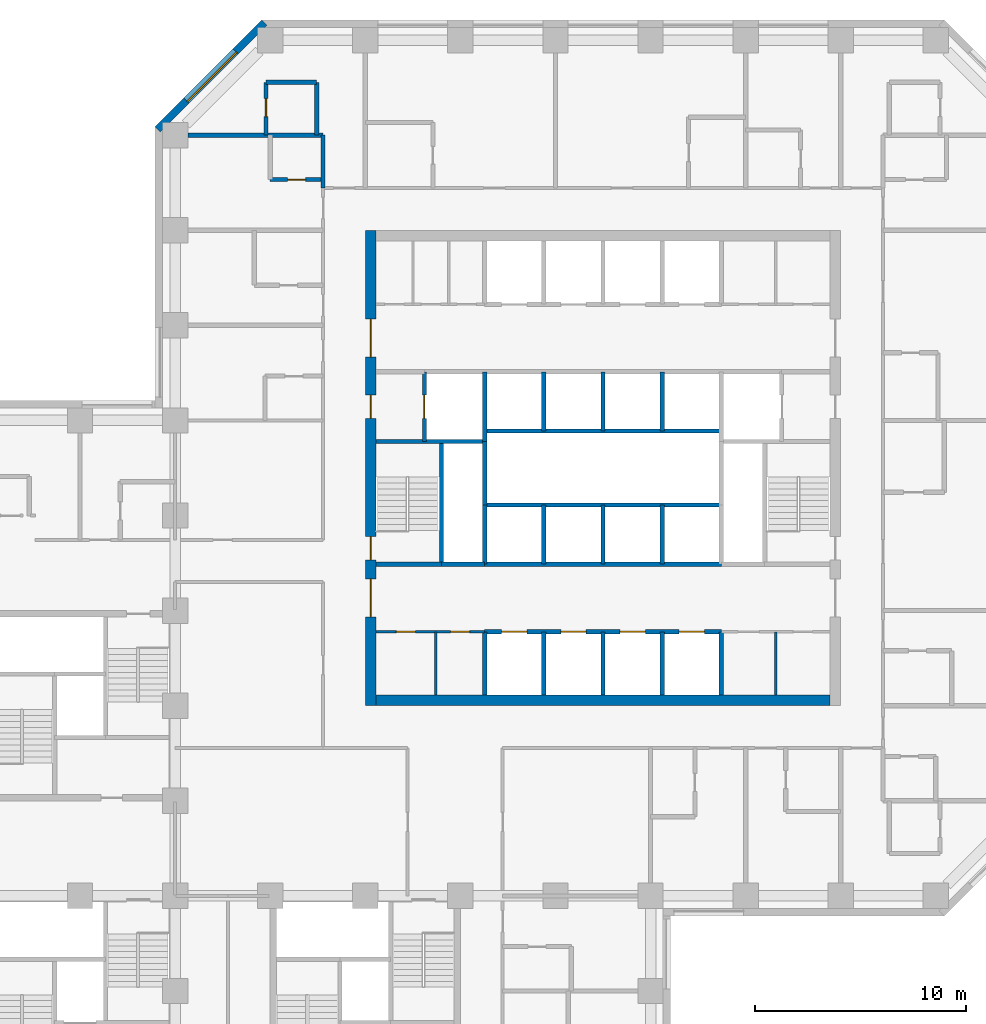
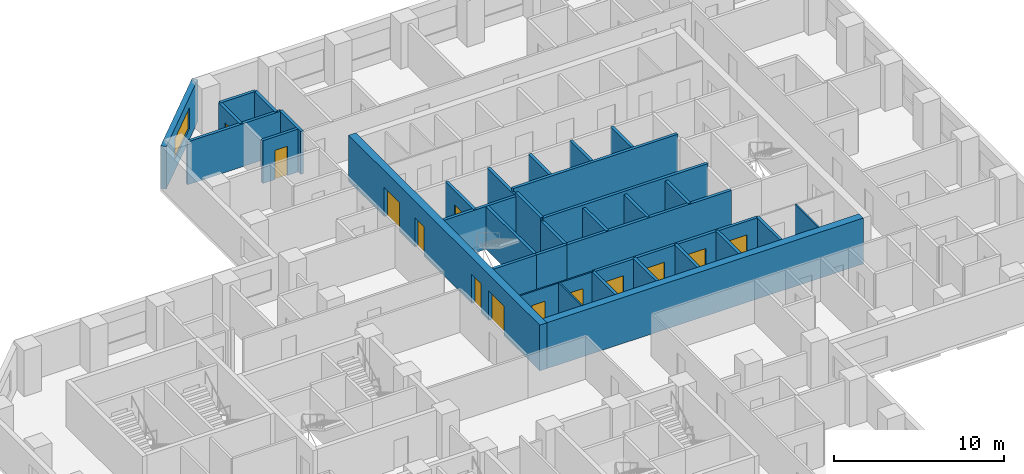
# One storey, part 7 of 12: 35 walls, 13 doors, 1 window, 14 openings.
"""IFC4 building model written with IfcOpenShell, lengths in metres."""

import ifcopenshell
import ifcopenshell.guid

model = None  # the IFC model being written
_history = None  # IfcOwnerHistory: only IFC2X3 demands one
_inside = {}  # id of a spatial element -> (the spatial element, [elements in it])
_under = {}  # id of a project, library or spatial element -> (it, [spatial elements below it])
_declared = {}  # id of a project -> (the project, [libraries it declares])
_typed = {}  # id of a type object -> (the type object, [elements of that type])
_made_of = {}  # id of a material, layer set ... -> (it, [elements and type objects made of it])


def new_model(schema):
    """Start an empty IFC model of exactly this schema.

    Asked for "IFC4X3", IfcOpenShell would pick the latest addendum, in which some entities
    have other attributes; the version numbers below select the first issue.
    IFC2X3 requires an IfcOwnerHistory on every rooted entity: one is made here for all.
    """
    global model, _history
    if schema == "IFC4X3":
        model = ifcopenshell.file(schema_version=(4, 3, 0, 0))
    else:
        model = ifcopenshell.file(schema=schema)
    _inside.clear()
    _under.clear()
    _declared.clear()
    _typed.clear()
    _made_of.clear()
    _history = None
    if model.schema == "IFC2X3":
        org = make("IfcOrganization", Name="unknown")
        user = make(
            "IfcPersonAndOrganization",
            ThePerson=make("IfcPerson", FamilyName="unknown"),
            TheOrganization=org,
        )
        app = make(
            "IfcApplication",
            ApplicationDeveloper=org,
            Version="unknown",
            ApplicationFullName="unknown",
            ApplicationIdentifier="unknown",
        )
        _history = make(
            "IfcOwnerHistory",
            OwningUser=user,
            OwningApplication=app,
            ChangeAction="ADDED",
            CreationDate=0,
        )
    return model


def make(cls, **values):
    """One entity of the class cls with the attributes given. An attribute that is None is left unset."""
    return model.create_entity(
        cls, **{name: value for name, value in values.items() if value is not None}
    )


def rooted(cls, **values):
    """An entity with a GlobalId (a new one), such as an element, a storey or a relation."""
    return make(cls, GlobalId=ifcopenshell.guid.new(), OwnerHistory=_history, **values)


def si_unit(unit_type, name, prefix=None):
    """IfcSIUnit, for example si_unit("LENGTHUNIT", "METRE", prefix="MILLI")."""
    return make("IfcSIUnit", UnitType=unit_type, Prefix=prefix, Name=name)


def assignment(units):
    """IfcUnitAssignment: the units of a project."""
    return None if units is None else make("IfcUnitAssignment", Units=units)


def point(xyz):
    """IfcCartesianPoint."""
    return None if xyz is None else make("IfcCartesianPoint", Coordinates=xyz)


def direction(xyz):
    """IfcDirection."""
    return None if xyz is None else make("IfcDirection", DirectionRatios=xyz)


def frame(location, z_axis=None, x_axis=None):
    """IfcAxis2Placement3D, a coordinate frame: its origin and axes. An axis left out is left unset."""
    return make(
        "IfcAxis2Placement3D",
        Location=point(location),
        Axis=direction(z_axis),
        RefDirection=direction(x_axis),
    )


def frame_2d(location, x_axis=None):
    """IfcAxis2Placement2D, a coordinate frame in the plane: its origin and x axis."""
    return make(
        "IfcAxis2Placement2D", Location=point(location), RefDirection=direction(x_axis)
    )


def origin():
    """The frame at (0, 0, 0) with its axes left unset."""
    return frame((0.0, 0.0, 0.0))


def place(relative_to, where):
    """IfcLocalPlacement: puts the frame where relative to a parent placement (None: the world)."""
    return make(
        "IfcLocalPlacement", PlacementRelTo=relative_to, RelativePlacement=where
    )


def context(
    kind, dimensions, precision=None, world=None, true_north=None, identifier=None
):
    """IfcGeometricRepresentationContext, for example the 3D "Model" context."""
    return make(
        "IfcGeometricRepresentationContext",
        ContextIdentifier=identifier,
        ContextType=kind,
        CoordinateSpaceDimension=dimensions,
        Precision=precision,
        WorldCoordinateSystem=world,
        TrueNorth=true_north,
    )


def subcontext(parent, identifier, kind, view, scale=None):
    """IfcGeometricRepresentationSubContext, for example "Body" below "Model"."""
    return make(
        "IfcGeometricRepresentationSubContext",
        ContextIdentifier=identifier,
        ContextType=kind,
        ParentContext=parent,
        TargetScale=scale,
        TargetView=view,
    )


def project(units=None, contexts=None):
    """IfcProject with its units and contexts."""
    return rooted(
        "IfcProject",
        Name="project",
        RepresentationContexts=contexts,
        UnitsInContext=assignment(units),
    )


def spatial(cls, under=None, at=None, **own):
    """A site, building, storey or space (cls), placed at a placement, below another one or the project."""
    s = rooted(cls, ObjectPlacement=at, **own)
    if under is not None:
        _under.setdefault(under.id(), (under, []))[1].append(s)
    return s


def profile(cls, at=None, kind="AREA", **sizes):
    """A parametric profile (cls). Its sizes go by their IFC names, for example OverallWidth=200.0."""
    return make(cls, ProfileType=kind, Position=at, **sizes)


def rectangle(**sizes):
    """IfcRectangleProfileDef."""
    return profile("IfcRectangleProfileDef", **sizes)


def extrude(swept, where, along, depth):
    """IfcExtrudedAreaSolid: the profile swept, set in the frame where, extruded along a direction by depth."""
    return make(
        "IfcExtrudedAreaSolid",
        SweptArea=swept,
        Position=where,
        ExtrudedDirection=direction(along),
        Depth=depth,
    )


def shape(context_of_items, identifier, shape_type, items):
    """IfcShapeRepresentation: the items that make up one representation, for example the "Body"."""
    return make(
        "IfcShapeRepresentation",
        ContextOfItems=context_of_items,
        RepresentationIdentifier=identifier,
        RepresentationType=shape_type,
        Items=items,
    )


def material(Name=None, Category=None):
    """IfcMaterial."""
    return make("IfcMaterial", Name=Name, Category=Category)


def layer(
    of_material, thickness, ventilated=None, Name=None, Category=None, Priority=None
):
    """IfcMaterialLayer: one layer of a wall or slab, of a material (None: an air gap)."""
    return make(
        "IfcMaterialLayer",
        Material=of_material,
        LayerThickness=thickness,
        IsVentilated=ventilated,
        Name=Name,
        Category=Category,
        Priority=Priority,
    )


def layer_set(layers, Name=None):
    """IfcMaterialLayerSet."""
    return make("IfcMaterialLayerSet", MaterialLayers=layers, LayerSetName=Name)


def constituent(of_material, Name=None, Category=None, fraction=None):
    """IfcMaterialConstituent: one of the materials an element consists of."""
    return make(
        "IfcMaterialConstituent",
        Name=Name,
        Material=of_material,
        Fraction=fraction,
        Category=Category,
    )


def constituent_set(constituents=None, Name=None):
    """IfcMaterialConstituentSet."""
    return make(
        "IfcMaterialConstituentSet", Name=Name, MaterialConstituents=constituents
    )


def made_of(thing, what):
    """Note that an element or type object is made of a material, layer set ...; save() writes the relation."""
    if what is not None:
        _made_of.setdefault(what.id(), (what, []))[1].append(thing)
    return thing


def type_object(cls, material=None, **own):
    """A type object (cls), such as IfcWallType, which elements share."""
    return made_of(rooted(cls, **own), material)


def element(
    cls,
    number,
    at=None,
    inside=None,
    cuts=None,
    type_object=None,
    material=None,
    context=None,
    identifier="Body",
    shape_type=None,
    held_by="IfcProductDefinitionShape",
    body=None,
    shapes=None,
    **own,
):
    """One element of the class cls, such as IfcWall. Its Tag is "e" and its number.

    at: its placement. inside: the storey or other place that contains it. cuts: it is an
    opening in that element (IfcRelVoidsElement). A single representation is given by context,
    identifier, shape_type and body (its items); several are given by shapes. held_by: the class
    of the entity that holds the representations. save() writes the other relations.
    """
    e = rooted(cls, Tag="e%d" % number, ObjectPlacement=at, **own)
    if body is not None:
        shapes = [shape(context, identifier, shape_type, body)]
    if shapes is not None:
        e.Representation = make(held_by, Representations=shapes)
    if inside is not None:
        _inside.setdefault(inside.id(), (inside, []))[1].append(e)
    if cuts is not None:
        rooted(
            "IfcRelVoidsElement", RelatingBuildingElement=cuts, RelatedOpeningElement=e
        )
    if type_object is not None:
        _typed.setdefault(type_object.id(), (type_object, []))[1].append(e)
    return made_of(e, material)


def fill(opening, filler):
    """IfcRelFillsElement: the door or window that sits in an opening."""
    return rooted(
        "IfcRelFillsElement",
        RelatingOpeningElement=opening,
        RelatedBuildingElement=filler,
    )


def aggregate(whole, parts):
    """IfcRelAggregates: a whole, such as a stair, and the parts it consists of."""
    return rooted("IfcRelAggregates", RelatingObject=whole, RelatedObjects=parts)


def save(model, path):
    """Write the relations noted so far, then the file.

    IfcRelAggregates (storeys below a building ...), IfcRelContainedInSpatialStructure (elements
    in a storey), IfcRelDefinesByType, IfcRelAssociatesMaterial and IfcRelDeclares: one each for
    every whole, place, type object, material and project.
    """
    for whole, parts in _under.values():
        aggregate(whole, parts)
    for where, things in _inside.values():
        rooted(
            "IfcRelContainedInSpatialStructure",
            RelatedElements=things,
            RelatingStructure=where,
        )
    for kind, things in _typed.values():
        rooted("IfcRelDefinesByType", RelatedObjects=things, RelatingType=kind)
    for what, things in _made_of.values():
        rooted("IfcRelAssociatesMaterial", RelatedObjects=things, RelatingMaterial=what)
    for by, libraries in _declared.values():
        rooted("IfcRelDeclares", RelatingContext=by, RelatedDefinitions=libraries)
    model.write(path)


model = new_model("IFC4")

# Units and contexts
model_context = context("Model", 3, precision=1e-05, world=origin(), true_north=direction((0.0, 1.0)))
body_context = subcontext(model_context, "Body", "Model", "MODEL_VIEW")
ifc_project = project(units=[si_unit("LENGTHUNIT", "METRE"), si_unit("AREAUNIT", "SQUARE_METRE"), si_unit("VOLUMEUNIT", "CUBIC_METRE"), si_unit("PLANEANGLEUNIT", "RADIAN"), si_unit("MASSUNIT", "GRAM", prefix="KILO")], contexts=[model_context])

# Site, building, storey
site_placement = place(None, origin())
site = spatial("IfcSite", under=ifc_project, at=site_placement, CompositionType="ELEMENT")
building_placement = place(site_placement, origin())
building = spatial("IfcBuilding", under=site, at=building_placement, Name="Quoin Convention Tower", CompositionType="ELEMENT")
storey_placement = place(building_placement, frame((0.0, 0.0, 42.89990234375)))
storey = spatial("IfcBuildingStorey", under=building, at=storey_placement, Name="L10", CompositionType="ELEMENT", Elevation=42.89990234375)

# Wall, opening, window
ifc_material_1 = material(Name="Brick masonry", Category="masonry")
ifc_layer_1 = layer(ifc_material_1, 0.35009765625)
ifc_layer_set_1 = layer_set([ifc_layer_1], Name="Brick masonry")
wall_type_1 = type_object("IfcWallType", Name="Brick facade wall", PredefinedType="STANDARD", material=ifc_layer_set_1)
wall_1_placement = place(storey_placement, frame((40.230224609375, 81.826416015625, 0.0), z_axis=(0.0, 0.0, 1.0), x_axis=(-0.707106781187, -0.707106781187, 0.0)))
wall_1 = element("IfcWall", 1, at=wall_1_placement, inside=storey, type_object=wall_type_1, Name="fw-L10-40500_81000", PredefinedType="STANDARD", context=body_context, shape_type="SweptSolid", body=[
    extrude(rectangle(XDim=7.151123046875, YDim=0.35009765625, at=frame_2d((3.57568359375, 0.0))), origin(), (0.0, 0.0, 1.0), 3.05517578125),
])
opening_1_placement = place(wall_1_placement, frame((1.925537109375, 0.0, 0.800048828125)))
opening_1 = element("IfcOpeningElement", 2, at=opening_1_placement, cuts=wall_1, Name="Opening W-01", PredefinedType="OPENING", context=body_context, shape_type="SweptSolid", body=[
    extrude(rectangle(XDim=3.300048828125, YDim=1.5, at=frame_2d((1.64990234375, 0.75))), frame((0.0, 0.18505859375, 0.0), z_axis=(0.0, -1.0, 0.0), x_axis=(1.0, 0.0, 0.0)), (0.0, 0.0, 1.0), 0.3701171875),
])
ifc_material_2 = material(Name="Aluminium", Category="aluminium")
ifc_constituent_1 = constituent(ifc_material_2, Name="Frame")
ifc_material_3 = material(Name="Insulated glass", Category="glass")
ifc_constituent_2 = constituent(ifc_material_3, Name="Glazing")
ifc_constituent_set = constituent_set(constituents=[ifc_constituent_1, ifc_constituent_2], Name="Aluminium")
window_type = type_object("IfcWindowType", Name="Hotel strip window", PartitioningType="DOUBLE_PANEL_VERTICAL", PredefinedType="WINDOW", material=ifc_constituent_set)
window_placement = place(opening_1_placement, origin())
window = element("IfcWindow", 3, at=window_placement, inside=storey, type_object=window_type, Name="win-L10-37702_79298", OverallHeight=1.5, OverallWidth=3.300048828125, PartitioningType="SINGLE_PANEL", PredefinedType="WINDOW", context=body_context, shape_type="SweptSolid", body=[
    extrude(rectangle(XDim=3.300048828125, YDim=1.5, at=frame_2d((1.64990234375, 0.75))), frame((0.0, 0.0849609375, 0.0), z_axis=(0.0, -1.0, 0.0), x_axis=(1.0, 0.0, 0.0)), (0.0, 0.0, 1.0), 0.06005859375),
])
fill(opening_1, window)

# Wall, openings, doors
ifc_material_4 = material(Name="Plasterboard")
ifc_layer_2 = layer(ifc_material_4, 0.012451171875, Name="Finish")
ifc_material_5 = material(Name="Steel stud framing", Category="steel")
ifc_layer_3 = layer(ifc_material_5, 0.074951171875, Name="Structure")
ifc_layer_4 = layer(ifc_material_4, 0.012451171875, Name="Finish")
ifc_layer_set_2 = layer_set([ifc_layer_2, ifc_layer_3, ifc_layer_4], Name="Steel stud framing")
wall_type_2 = type_object("IfcWallType", Name="Core partition wall", PredefinedType="PARTITIONING", material=ifc_layer_set_2)
wall_2_placement = place(storey_placement, frame((45.5, 53.0, 0.0), z_axis=(0.0, 0.0, 1.0), x_axis=(1.0, 0.0, 0.0)))
wall_2 = element("IfcWall", 4, at=wall_2_placement, inside=storey, type_object=wall_type_2, Name="cr-C1-L10-h3500_500", PredefinedType="PARTITIONING", context=body_context, shape_type="SweptSolid", body=[
    extrude(rectangle(XDim=5.14990234375, YDim=0.10009765625, at=frame_2d((2.574951171875, 0.0))), origin(), (0.0, 0.0, 1.0), 3.080078125),
])
opening_2_placement = place(wall_2_placement, frame((0.96630859375, 0.0, 0.0)))
opening_2 = element("IfcOpeningElement", 5, at=opening_2_placement, cuts=wall_2, Name="Opening DCV4-36", PredefinedType="OPENING", context=body_context, shape_type="SweptSolid", body=[
    extrude(rectangle(XDim=0.89990234375, YDim=2.10009765625, at=frame_2d((0.449951171875, 1.050048828125))), frame((0.0, 0.06005859375, 0.0), z_axis=(0.0, -1.0, 0.0), x_axis=(1.0, 0.0, 0.0)), (0.0, 0.0, 1.0), 0.1201171875),
])
opening_3_placement = place(wall_2_placement, frame((3.541259765625, 0.0, 0.0)))
opening_3 = element("IfcOpeningElement", 6, at=opening_3_placement, cuts=wall_2, Name="Opening DCV4-37", PredefinedType="OPENING", context=body_context, shape_type="SweptSolid", body=[
    extrude(rectangle(XDim=0.89990234375, YDim=2.10009765625, at=frame_2d((0.449951171875, 1.050048828125))), frame((0.0, 0.06005859375, 0.0), z_axis=(0.0, -1.0, 0.0), x_axis=(1.0, 0.0, 0.0)), (0.0, 0.0, 1.0), 0.1201171875),
])
ifc_material_6 = material(Name="Steel door leaf", Category="steel")
door_type_1 = type_object("IfcDoorType", Name="Core room door 900 x 2100", OperationType="SINGLE_SWING_LEFT", PredefinedType="DOOR", material=ifc_material_6)
door_1_placement = place(opening_2_placement, frame((0.89990234375, 0.0, 0.0), z_axis=(0.0, 0.0, 1.0), x_axis=(-1.0, 0.0, 0.0)))
door_1 = element("IfcDoor", 7, at=door_1_placement, inside=storey, type_object=door_type_1, Name="cd-C1-L10-CSW0-lobA-CD1014", OperationType="SINGLE_SWING_LEFT", OverallHeight=2.10009765625, OverallWidth=0.89990234375, PredefinedType="DOOR", context=body_context, shape_type="SweptSolid", body=[
    extrude(rectangle(XDim=0.89990234375, YDim=2.10009765625, at=frame_2d((0.449951171875, 1.050048828125))), frame((0.0, 0.02490234375, 0.0), z_axis=(0.0, -1.0, 0.0), x_axis=(1.0, 0.0, 0.0)), (0.0, 0.0, 1.0), 0.050048828125),
])
fill(opening_2, door_1)
door_2_placement = place(opening_3_placement, frame((0.89990234375, 0.0, 0.0), z_axis=(0.0, 0.0, 1.0), x_axis=(-1.0, 0.0, 0.0)))
door_2 = element("IfcDoor", 8, at=door_2_placement, inside=storey, type_object=door_type_1, Name="cd-C1-L10-CSW1-lobA-CD1015", OperationType="SINGLE_SWING_LEFT", OverallHeight=2.10009765625, OverallWidth=0.89990234375, PredefinedType="DOOR", context=body_context, shape_type="SweptSolid", body=[
    extrude(rectangle(XDim=0.89990234375, YDim=2.10009765625, at=frame_2d((0.449951171875, 1.050048828125))), frame((0.0, 0.02490234375, 0.0), z_axis=(0.0, -1.0, 0.0), x_axis=(1.0, 0.0, 0.0)), (0.0, 0.0, 1.0), 0.050048828125),
])
fill(opening_3, door_2)

# Walls
for number, where, z_axis, x_axis, name in (
    (9, (48.33251953125, 50.0, 0.0), (0.0, 0.0, 1.0), (0.0, 1.0, 0.0), "cr-C1-L10-v3332_500"),
    (10, (64.425048828125, 50.0, 0.0), (0.0, 0.0, 1.0), (0.0, 1.0, 0.0), "cr-C1-L10-v19425_500"),
):
    element("IfcWall", number, at=place(storey_placement, frame(where, z_axis=z_axis, x_axis=x_axis)), inside=storey, type_object=wall_type_2, Name=name, PredefinedType="PARTITIONING", context=body_context, shape_type="SweptSolid", body=[
        extrude(rectangle(XDim=3.0, YDim=0.10009765625, at=frame_2d((1.5, 0.0))), origin(), (0.0, 0.0, 1.0), 3.080078125),
    ])

# Wall, openings, doors
ifc_material_7 = material(Name="Concrete C50", Category="concrete")
ifc_layer_5 = layer(ifc_material_7, 0.199951171875)
ifc_layer_set_3 = layer_set([ifc_layer_5], Name="Concrete C50")
wall_type_3 = type_object("IfcWallType", Name="Core shaft wall", PredefinedType="SOLIDWALL", material=ifc_layer_set_3)
wall_3_placement = place(storey_placement, frame((50.64990234375, 53.0, 0.0), z_axis=(0.0, 0.0, 1.0), x_axis=(1.0, 0.0, 0.0)))
wall_3 = element("IfcWall", 11, at=wall_3_placement, inside=storey, type_object=wall_type_3, Name="cr-C1-L10-h3500_5650", PredefinedType="SOLIDWALL", context=body_context, shape_type="SweptSolid", body=[
    extrude(rectangle(XDim=11.2001953125, YDim=0.199951171875, at=frame_2d((5.60009765625, 0.0))), origin(), (0.0, 0.0, 1.0), 3.080078125),
])
opening_4_placement = place(wall_3_placement, frame((0.800048828125, 0.0, 0.0)))
opening_4 = element("IfcOpeningElement", 12, at=opening_4_placement, cuts=wall_3, Name="Opening LDL1", PredefinedType="OPENING", context=body_context, shape_type="SweptSolid", body=[
    extrude(rectangle(XDim=1.199951171875, YDim=2.10009765625, at=frame_2d((0.60009765625, 1.050048828125))), frame((0.0, 0.10986328125, 0.0), z_axis=(0.0, -1.0, 0.0), x_axis=(1.0, 0.0, 0.0)), (0.0, 0.0, 1.0), 0.219970703125),
])
opening_5_placement = place(wall_3_placement, frame((3.60009765625, 0.0, 0.0)))
opening_5 = element("IfcOpeningElement", 13, at=opening_5_placement, cuts=wall_3, Name="Opening LDL2", PredefinedType="OPENING", context=body_context, shape_type="SweptSolid", body=[
    extrude(rectangle(XDim=1.199951171875, YDim=2.10009765625, at=frame_2d((0.60009765625, 1.050048828125))), frame((0.0, 0.10986328125, 0.0), z_axis=(0.0, -1.0, 0.0), x_axis=(1.0, 0.0, 0.0)), (0.0, 0.0, 1.0), 0.219970703125),
])
opening_6_placement = place(wall_3_placement, frame((6.39990234375, 0.0, 0.0)))
opening_6 = element("IfcOpeningElement", 14, at=opening_6_placement, cuts=wall_3, Name="Opening LDL3", PredefinedType="OPENING", context=body_context, shape_type="SweptSolid", body=[
    extrude(rectangle(XDim=1.199951171875, YDim=2.10009765625, at=frame_2d((0.60009765625, 1.050048828125))), frame((0.0, 0.10986328125, 0.0), z_axis=(0.0, -1.0, 0.0), x_axis=(1.0, 0.0, 0.0)), (0.0, 0.0, 1.0), 0.219970703125),
])
opening_7_placement = place(wall_3_placement, frame((9.199951171875, 0.0, 0.0)))
opening_7 = element("IfcOpeningElement", 15, at=opening_7_placement, cuts=wall_3, Name="Opening LDL4", PredefinedType="OPENING", context=body_context, shape_type="SweptSolid", body=[
    extrude(rectangle(XDim=1.199951171875, YDim=2.10009765625, at=frame_2d((0.60009765625, 1.050048828125))), frame((0.0, 0.10986328125, 0.0), z_axis=(0.0, -1.0, 0.0), x_axis=(1.0, 0.0, 0.0)), (0.0, 0.0, 1.0), 0.219970703125),
])
door_type_2 = type_object("IfcDoorType", Name="Lift landing door 1200 x 2100", OperationType="DOUBLE_DOOR_SLIDING", PredefinedType="DOOR", material=ifc_material_6)
door_3_placement = place(opening_4_placement, origin())
door_3 = element("IfcDoor", 16, at=door_3_placement, inside=storey, type_object=door_type_2, Name="cd-C1-L10-R10-lobA-LDL1", OperationType="DOUBLE_DOOR_SLIDING", OverallHeight=2.10009765625, OverallWidth=1.199951171875, PredefinedType="DOOR", context=body_context, shape_type="SweptSolid", body=[
    extrude(rectangle(XDim=1.199951171875, YDim=2.10009765625, at=frame_2d((0.60009765625, 1.050048828125))), frame((0.0, 0.02490234375, 0.0), z_axis=(0.0, -1.0, 0.0), x_axis=(1.0, 0.0, 0.0)), (0.0, 0.0, 1.0), 0.050048828125),
])
fill(opening_4, door_3)
door_4_placement = place(opening_5_placement, origin())
door_4 = element("IfcDoor", 17, at=door_4_placement, inside=storey, type_object=door_type_2, Name="cd-C1-L10-R11-lobA-LDL2", OperationType="DOUBLE_DOOR_SLIDING", OverallHeight=2.10009765625, OverallWidth=1.199951171875, PredefinedType="DOOR", context=body_context, shape_type="SweptSolid", body=[
    extrude(rectangle(XDim=1.199951171875, YDim=2.10009765625, at=frame_2d((0.60009765625, 1.050048828125))), frame((0.0, 0.02490234375, 0.0), z_axis=(0.0, -1.0, 0.0), x_axis=(1.0, 0.0, 0.0)), (0.0, 0.0, 1.0), 0.050048828125),
])
fill(opening_5, door_4)
door_5_placement = place(opening_6_placement, origin())
door_5 = element("IfcDoor", 18, at=door_5_placement, inside=storey, type_object=door_type_2, Name="cd-C1-L10-R12-lobA-LDL3", OperationType="DOUBLE_DOOR_SLIDING", OverallHeight=2.10009765625, OverallWidth=1.199951171875, PredefinedType="DOOR", context=body_context, shape_type="SweptSolid", body=[
    extrude(rectangle(XDim=1.199951171875, YDim=2.10009765625, at=frame_2d((0.60009765625, 1.050048828125))), frame((0.0, 0.02490234375, 0.0), z_axis=(0.0, -1.0, 0.0), x_axis=(1.0, 0.0, 0.0)), (0.0, 0.0, 1.0), 0.050048828125),
])
fill(opening_6, door_5)
door_6_placement = place(opening_7_placement, origin())
door_6 = element("IfcDoor", 19, at=door_6_placement, inside=storey, type_object=door_type_2, Name="cd-C1-L10-R13-lobA-LDL4", OperationType="DOUBLE_DOOR_SLIDING", OverallHeight=2.10009765625, OverallWidth=1.199951171875, PredefinedType="DOOR", context=body_context, shape_type="SweptSolid", body=[
    extrude(rectangle(XDim=1.199951171875, YDim=2.10009765625, at=frame_2d((0.60009765625, 1.050048828125))), frame((0.0, 0.02490234375, 0.0), z_axis=(0.0, -1.0, 0.0), x_axis=(1.0, 0.0, 0.0)), (0.0, 0.0, 1.0), 0.050048828125),
])
fill(opening_7, door_6)

# Walls
wall_4_placement = place(storey_placement, frame((48.60009765625, 56.199951171875, 0.0), z_axis=(0.0, 0.0, 1.0), x_axis=(1.0, 0.0, 0.0)))
element("IfcWall", 20, at=wall_4_placement, inside=storey, type_object=wall_type_3, Name="cr-C1-L10-h6700_3600", PredefinedType="SOLIDWALL", context=body_context, shape_type="SweptSolid", body=[
    extrude(rectangle(XDim=2.0498046875, YDim=0.199951171875, at=frame_2d((1.02490234375, 0.0))), origin(), (0.0, 0.0, 1.0), 3.080078125),
])
wall_5_placement = place(storey_placement, frame((45.5, 56.199951171875, 0.0), z_axis=(0.0, 0.0, 1.0), x_axis=(1.0, 0.0, 0.0)))
element("IfcWall", 21, at=wall_5_placement, inside=storey, type_object=wall_type_3, Name="cr-C1-L10-h6700_500", PredefinedType="SOLIDWALL", context=body_context, shape_type="SweptSolid", body=[
    extrude(rectangle(XDim=3.10009765625, YDim=0.199951171875, at=frame_2d((1.550048828125, 0.0))), origin(), (0.0, 0.0, 1.0), 3.080078125),
])
wall_6_placement = place(storey_placement, frame((50.64990234375, 56.199951171875, 0.0), z_axis=(0.0, 0.0, 1.0), x_axis=(1.0, 0.0, 0.0)))
element("IfcWall", 22, at=wall_6_placement, inside=storey, type_object=wall_type_3, Name="cr-C1-L10-h6700_5650", PredefinedType="SOLIDWALL", context=body_context, shape_type="SweptSolid", body=[
    extrude(rectangle(XDim=11.2001953125, YDim=0.199951171875, at=frame_2d((5.60009765625, 0.0))), origin(), (0.0, 0.0, 1.0), 3.080078125),
])
wall_7_placement = place(storey_placement, frame((45.5, 62.0, 0.0), z_axis=(0.0, 0.0, 1.0), x_axis=(1.0, 0.0, 0.0)))
element("IfcWall", 23, at=wall_7_placement, inside=storey, type_object=wall_type_3, Name="cr-C1-L10-h12500_500", PredefinedType="SOLIDWALL", context=body_context, shape_type="SweptSolid", body=[
    extrude(rectangle(XDim=5.14990234375, YDim=0.199951171875, at=frame_2d((2.574951171875, 0.0))), origin(), (0.0, 0.0, 1.0), 3.080078125),
])

# Wall, opening, door
wall_8_placement = place(storey_placement, frame((47.800048828125, 62.0, 0.0), z_axis=(0.0, 0.0, 1.0), x_axis=(0.0, 1.0, 0.0)))
wall_8 = element("IfcWall", 24, at=wall_8_placement, inside=storey, type_object=wall_type_3, Name="cr-C1-L10-v2800_12500", PredefinedType="SOLIDWALL", context=body_context, shape_type="SweptSolid", body=[
    extrude(rectangle(XDim=3.300048828125, YDim=0.199951171875, at=frame_2d((1.64990234375, 0.0))), origin(), (0.0, 0.0, 1.0), 3.080078125),
])
opening_8_placement = place(wall_8_placement, frame((1.10009765625, 0.0, 0.0)))
opening_8 = element("IfcOpeningElement", 25, at=opening_8_placement, cuts=wall_8, Name="Opening LDFL1", PredefinedType="OPENING", context=body_context, shape_type="SweptSolid", body=[
    extrude(rectangle(XDim=1.10009765625, YDim=2.10009765625, at=frame_2d((0.550048828125, 1.050048828125))), frame((0.0, 0.10986328125, 0.0), z_axis=(0.0, -1.0, 0.0), x_axis=(1.0, 0.0, 0.0)), (0.0, 0.0, 1.0), 0.219970703125),
])
door_type_3 = type_object("IfcDoorType", Name="Lift landing door 1100 x 2100", OperationType="DOUBLE_DOOR_SLIDING", PredefinedType="DOOR", material=ifc_material_6)
door_7_placement = place(opening_8_placement, origin())
door_7 = element("IfcDoor", 26, at=door_7_placement, inside=storey, type_object=door_type_3, Name="cd-C1-L10-FLW-FFW-LDFL1", OperationType="DOUBLE_DOOR_SLIDING", OverallHeight=2.10009765625, OverallWidth=1.10009765625, PredefinedType="DOOR", context=body_context, shape_type="SweptSolid", body=[
    extrude(rectangle(XDim=1.10009765625, YDim=2.10009765625, at=frame_2d((0.550048828125, 1.050048828125))), frame((0.0, 0.02490234375, 0.0), z_axis=(0.0, -1.0, 0.0), x_axis=(1.0, 0.0, 0.0)), (0.0, 0.0, 1.0), 0.050048828125),
])
fill(opening_8, door_7)

# Walls
wall_9_placement = place(storey_placement, frame((48.60009765625, 56.199951171875, 0.0), z_axis=(0.0, 0.0, 1.0), x_axis=(0.0, 1.0, 0.0)))
element("IfcWall", 27, at=wall_9_placement, inside=storey, type_object=wall_type_3, Name="cr-C1-L10-v3600_6700", PredefinedType="SOLIDWALL", context=body_context, shape_type="SweptSolid", body=[
    extrude(rectangle(XDim=5.800048828125, YDim=0.199951171875, at=frame_2d((2.89990234375, 0.0))), origin(), (0.0, 0.0, 1.0), 3.080078125),
])
wall_10_placement = place(storey_placement, frame((50.64990234375, 50.0, 0.0), z_axis=(0.0, 0.0, 1.0), x_axis=(0.0, 1.0, 0.0)))
element("IfcWall", 28, at=wall_10_placement, inside=storey, type_object=wall_type_3, Name="cr-C1-L10-v5650_500", PredefinedType="SOLIDWALL", context=body_context, shape_type="SweptSolid", body=[
    extrude(rectangle(XDim=3.0, YDim=0.199951171875, at=frame_2d((1.5, 0.0))), origin(), (0.0, 0.0, 1.0), 3.080078125),
])
wall_11_placement = place(storey_placement, frame((50.64990234375, 56.199951171875, 0.0), z_axis=(0.0, 0.0, 1.0), x_axis=(0.0, 1.0, 0.0)))
element("IfcWall", 29, at=wall_11_placement, inside=storey, type_object=wall_type_3, Name="cr-C1-L10-v5650_6700", PredefinedType="SOLIDWALL", context=body_context, shape_type="SweptSolid", body=[
    extrude(rectangle(XDim=2.800048828125, YDim=0.199951171875, at=frame_2d((1.39990234375, 0.0))), origin(), (0.0, 0.0, 1.0), 3.080078125),
])
wall_12_placement = place(storey_placement, frame((50.64990234375, 62.0, 0.0), z_axis=(0.0, 0.0, 1.0), x_axis=(0.0, 1.0, 0.0)))
element("IfcWall", 30, at=wall_12_placement, inside=storey, type_object=wall_type_3, Name="cr-C1-L10-v5650_12500", PredefinedType="SOLIDWALL", context=body_context, shape_type="SweptSolid", body=[
    extrude(rectangle(XDim=3.300048828125, YDim=0.199951171875, at=frame_2d((1.64990234375, 0.0))), origin(), (0.0, 0.0, 1.0), 3.080078125),
])
wall_13_placement = place(storey_placement, frame((53.449951171875, 50.0, 0.0), z_axis=(0.0, 0.0, 1.0), x_axis=(0.0, 1.0, 0.0)))
element("IfcWall", 31, at=wall_13_placement, inside=storey, type_object=wall_type_3, Name="cr-C1-L10-v8450_500", PredefinedType="SOLIDWALL", context=body_context, shape_type="SweptSolid", body=[
    extrude(rectangle(XDim=3.0, YDim=0.199951171875, at=frame_2d((1.5, 0.0))), origin(), (0.0, 0.0, 1.0), 3.080078125),
])
for number, where, z_axis, x_axis, name in (
    (32, (53.449951171875, 56.199951171875, 0.0), (0.0, 0.0, 1.0), (0.0, 1.0, 0.0), "cr-C1-L10-v8450_6700"),
    (33, (53.449951171875, 62.5, 0.0), (0.0, 0.0, 1.0), (0.0, 1.0, 0.0), "cr-C1-L10-v8450_13000"),
):
    element("IfcWall", number, at=place(storey_placement, frame(where, z_axis=z_axis, x_axis=x_axis)), inside=storey, type_object=wall_type_3, Name=name, PredefinedType="SOLIDWALL", context=body_context, shape_type="SweptSolid", body=[
        extrude(rectangle(XDim=2.800048828125, YDim=0.199951171875, at=frame_2d((1.39990234375, 0.0))), origin(), (0.0, 0.0, 1.0), 3.080078125),
    ])
wall_14_placement = place(storey_placement, frame((56.25, 50.0, 0.0), z_axis=(0.0, 0.0, 1.0), x_axis=(0.0, 1.0, 0.0)))
element("IfcWall", 34, at=wall_14_placement, inside=storey, type_object=wall_type_3, Name="cr-C1-L10-v11250_500", PredefinedType="SOLIDWALL", context=body_context, shape_type="SweptSolid", body=[
    extrude(rectangle(XDim=3.0, YDim=0.199951171875, at=frame_2d((1.5, 0.0))), origin(), (0.0, 0.0, 1.0), 3.080078125),
])
for number, where, z_axis, x_axis, name in (
    (35, (56.25, 56.199951171875, 0.0), (0.0, 0.0, 1.0), (0.0, 1.0, 0.0), "cr-C1-L10-v11250_6700"),
    (36, (56.25, 62.5, 0.0), (0.0, 0.0, 1.0), (0.0, 1.0, 0.0), "cr-C1-L10-v11250_13000"),
):
    element("IfcWall", number, at=place(storey_placement, frame(where, z_axis=z_axis, x_axis=x_axis)), inside=storey, type_object=wall_type_3, Name=name, PredefinedType="SOLIDWALL", context=body_context, shape_type="SweptSolid", body=[
        extrude(rectangle(XDim=2.800048828125, YDim=0.199951171875, at=frame_2d((1.39990234375, 0.0))), origin(), (0.0, 0.0, 1.0), 3.080078125),
    ])
wall_15_placement = place(storey_placement, frame((59.050048828125, 50.0, 0.0), z_axis=(0.0, 0.0, 1.0), x_axis=(0.0, 1.0, 0.0)))
element("IfcWall", 37, at=wall_15_placement, inside=storey, type_object=wall_type_3, Name="cr-C1-L10-v14050_500", PredefinedType="SOLIDWALL", context=body_context, shape_type="SweptSolid", body=[
    extrude(rectangle(XDim=3.0, YDim=0.199951171875, at=frame_2d((1.5, 0.0))), origin(), (0.0, 0.0, 1.0), 3.080078125),
])
for number, where, z_axis, x_axis, name in (
    (38, (59.050048828125, 56.199951171875, 0.0), (0.0, 0.0, 1.0), (0.0, 1.0, 0.0), "cr-C1-L10-v14050_6700"),
    (39, (59.050048828125, 62.5, 0.0), (0.0, 0.0, 1.0), (0.0, 1.0, 0.0), "cr-C1-L10-v14050_13000"),
):
    element("IfcWall", number, at=place(storey_placement, frame(where, z_axis=z_axis, x_axis=x_axis)), inside=storey, type_object=wall_type_3, Name=name, PredefinedType="SOLIDWALL", context=body_context, shape_type="SweptSolid", body=[
        extrude(rectangle(XDim=2.800048828125, YDim=0.199951171875, at=frame_2d((1.39990234375, 0.0))), origin(), (0.0, 0.0, 1.0), 3.080078125),
    ])
wall_16_placement = place(storey_placement, frame((61.85009765625, 50.0, 0.0), z_axis=(0.0, 0.0, 1.0), x_axis=(0.0, 1.0, 0.0)))
element("IfcWall", 40, at=wall_16_placement, inside=storey, type_object=wall_type_3, Name="cr-C1-L10-v16850_500", PredefinedType="SOLIDWALL", context=body_context, shape_type="SweptSolid", body=[
    extrude(rectangle(XDim=3.0, YDim=0.199951171875, at=frame_2d((1.5, 0.0))), origin(), (0.0, 0.0, 1.0), 3.080078125),
])
ifc_layer_6 = layer(ifc_material_7, 0.199951171875)
ifc_layer_set_4 = layer_set([ifc_layer_6], Name="Concrete C50")
wall_type_4 = type_object("IfcWallType", Name="Core shaft wall to the floor level over", PredefinedType="SOLIDWALL", material=ifc_layer_set_4)
for number, where, z_axis, x_axis, name in (
    (41, (50.64990234375, 59.0, 0.0), (0.0, 0.0, 1.0), (1.0, 0.0, 0.0), "cr-C1-L10-h9500_5650"),
    (42, (50.64990234375, 62.5, 0.0), (0.0, 0.0, 1.0), (1.0, 0.0, 0.0), "cr-C1-L10-h13000_5650"),
):
    element("IfcWall", number, at=place(storey_placement, frame(where, z_axis=z_axis, x_axis=x_axis)), inside=storey, type_object=wall_type_4, Name=name, PredefinedType="SOLIDWALL", context=body_context, shape_type="SweptSolid", body=[
        extrude(rectangle(XDim=11.2001953125, YDim=0.199951171875, at=frame_2d((5.60009765625, 0.0))), origin(), (0.0, 0.0, 1.0), 3.300048828125),
    ])
wall_17_placement = place(storey_placement, frame((50.64990234375, 59.0, 0.0), z_axis=(0.0, 0.0, 1.0), x_axis=(0.0, 1.0, 0.0)))
element("IfcWall", 43, at=wall_17_placement, inside=storey, type_object=wall_type_4, Name="cr-C1-L10-v5650_9500", PredefinedType="SOLIDWALL", context=body_context, shape_type="SweptSolid", body=[
    extrude(rectangle(XDim=3.0, YDim=0.199951171875, at=frame_2d((1.5, 0.0))), origin(), (0.0, 0.0, 1.0), 3.300048828125),
])
ifc_material_8 = material(Name="Concrete C80", Category="concrete")
ifc_layer_7 = layer(ifc_material_8, 0.5)
ifc_layer_set_5 = layer_set([ifc_layer_7], Name="Concrete C80")
wall_type_5 = type_object("IfcWallType", Name="RC CORE WALL 500 C80", PredefinedType="SHEAR", material=ifc_layer_set_5)
wall_18_placement = place(storey_placement, frame((45.5, 49.75, 0.0), z_axis=(0.0, 0.0, 1.0), x_axis=(1.0, 0.0, 0.0)))
element("IfcWall", 44, at=wall_18_placement, inside=storey, type_object=wall_type_5, Name="cwl-C1-L10-S", PredefinedType="SHEAR", context=body_context, shape_type="SweptSolid", body=[
    extrude(rectangle(XDim=21.5, YDim=0.5, at=frame_2d((10.75, 0.0))), origin(), (0.0, 0.0, 1.0), 3.300048828125),
])

# Wall, openings, doors
wall_19_placement = place(storey_placement, frame((45.25, 49.5, 0.0), z_axis=(0.0, 0.0, 1.0), x_axis=(0.0, 1.0, 0.0)))
wall_19 = element("IfcWall", 45, at=wall_19_placement, inside=storey, type_object=wall_type_5, Name="cwl-C1-L10-W", PredefinedType="SHEAR", context=body_context, shape_type="SweptSolid", body=[
    extrude(rectangle(XDim=22.5, YDim=0.5, at=frame_2d((11.25, 0.0))), origin(), (0.0, 0.0, 1.0), 3.300048828125),
])
opening_9_placement = place(wall_19_placement, frame((4.199951171875, 0.0, 0.0)))
opening_9 = element("IfcOpeningElement", 46, at=opening_9_placement, cuts=wall_19, Name="Opening DCV4-41", PredefinedType="OPENING", context=body_context, shape_type="SweptSolid", body=[
    extrude(rectangle(XDim=1.800048828125, YDim=2.10009765625, at=frame_2d((0.89990234375, 1.050048828125))), frame((0.0, 0.260009765625, 0.0), z_axis=(0.0, -1.0, 0.0), x_axis=(1.0, 0.0, 0.0)), (0.0, 0.0, 1.0), 0.52001953125),
])
opening_10_placement = place(wall_19_placement, frame((6.89990234375, 0.0, 0.0)))
opening_10 = element("IfcOpeningElement", 47, at=opening_10_placement, cuts=wall_19, Name="Opening SD1", PredefinedType="OPENING", context=body_context, shape_type="SweptSolid", body=[
    extrude(rectangle(XDim=1.10009765625, YDim=2.10009765625, at=frame_2d((0.550048828125, 1.050048828125))), frame((0.0, 0.260009765625, 0.0), z_axis=(0.0, -1.0, 0.0), x_axis=(1.0, 0.0, 0.0)), (0.0, 0.0, 1.0), 0.52001953125),
])
opening_11_placement = place(wall_19_placement, frame((13.60009765625, 0.0, 0.0)))
opening_11 = element("IfcOpeningElement", 48, at=opening_11_placement, cuts=wall_19, Name="Opening DCV4-40", PredefinedType="OPENING", context=body_context, shape_type="SweptSolid", body=[
    extrude(rectangle(XDim=1.10009765625, YDim=2.10009765625, at=frame_2d((0.550048828125, 1.050048828125))), frame((0.0, 0.260009765625, 0.0), z_axis=(0.0, -1.0, 0.0), x_axis=(1.0, 0.0, 0.0)), (0.0, 0.0, 1.0), 0.52001953125),
])
opening_12_placement = place(wall_19_placement, frame((16.5, 0.0, 0.0)))
opening_12 = element("IfcOpeningElement", 49, at=opening_12_placement, cuts=wall_19, Name="Opening DCV4-41", PredefinedType="OPENING", context=body_context, shape_type="SweptSolid", body=[
    extrude(rectangle(XDim=1.800048828125, YDim=2.10009765625, at=frame_2d((0.89990234375, 1.050048828125))), frame((0.0, 0.260009765625, 0.0), z_axis=(0.0, -1.0, 0.0), x_axis=(1.0, 0.0, 0.0)), (0.0, 0.0, 1.0), 0.52001953125),
])
door_type_4 = type_object("IfcDoorType", Name="Fire-fighting lobby door 1100 x 2100", OperationType="SINGLE_SWING_LEFT", PredefinedType="DOOR", material=ifc_material_6)
door_8_placement = place(opening_11_placement, frame((1.10009765625, 0.0, 0.0), z_axis=(0.0, 0.0, 1.0), x_axis=(-1.0, 0.0, 0.0)))
door_8 = element("IfcDoor", 50, at=door_8_placement, inside=storey, type_object=door_type_4, Name="cd-C1-L10-FFW-W", OperationType="SINGLE_SWING_LEFT", OverallHeight=2.10009765625, OverallWidth=1.10009765625, PredefinedType="DOOR", context=body_context, shape_type="SweptSolid", body=[
    extrude(rectangle(XDim=1.10009765625, YDim=2.10009765625, at=frame_2d((0.550048828125, 1.050048828125))), frame((0.0, 0.02490234375, 0.0), z_axis=(0.0, -1.0, 0.0), x_axis=(1.0, 0.0, 0.0)), (0.0, 0.0, 1.0), 0.050048828125),
])
fill(opening_11, door_8)
door_type_5 = type_object("IfcDoorType", Name="Lift lobby door 1800 x 2100", OperationType="SINGLE_SWING_LEFT", PredefinedType="DOOR", material=ifc_material_6)
door_9_placement = place(opening_9_placement, frame((1.800048828125, 0.0, 0.0), z_axis=(0.0, 0.0, 1.0), x_axis=(-1.0, 0.0, 0.0)))
door_9 = element("IfcDoor", 51, at=door_9_placement, inside=storey, type_object=door_type_5, Name="cd-C1-L10-lobA-W", OperationType="SINGLE_SWING_LEFT", OverallHeight=2.10009765625, OverallWidth=1.800048828125, PredefinedType="DOOR", context=body_context, shape_type="SweptSolid", body=[
    extrude(rectangle(XDim=1.800048828125, YDim=2.10009765625, at=frame_2d((0.89990234375, 1.050048828125))), frame((0.0, 0.02490234375, 0.0), z_axis=(0.0, -1.0, 0.0), x_axis=(1.0, 0.0, 0.0)), (0.0, 0.0, 1.0), 0.050048828125),
])
fill(opening_9, door_9)
door_10_placement = place(opening_12_placement, frame((1.800048828125, 0.0, 0.0), z_axis=(0.0, 0.0, 1.0), x_axis=(-1.0, 0.0, 0.0)))
door_10 = element("IfcDoor", 52, at=door_10_placement, inside=storey, type_object=door_type_5, Name="cd-C1-L10-lobB-W", OperationType="SINGLE_SWING_LEFT", OverallHeight=2.10009765625, OverallWidth=1.800048828125, PredefinedType="DOOR", context=body_context, shape_type="SweptSolid", body=[
    extrude(rectangle(XDim=1.800048828125, YDim=2.10009765625, at=frame_2d((0.89990234375, 1.050048828125))), frame((0.0, 0.02490234375, 0.0), z_axis=(0.0, -1.0, 0.0), x_axis=(1.0, 0.0, 0.0)), (0.0, 0.0, 1.0), 0.050048828125),
])
fill(opening_12, door_10)
door_type_6 = type_object("IfcDoorType", Name="Stair door 1100 x 2100", OperationType="SINGLE_SWING_RIGHT", PredefinedType="DOOR", material=ifc_material_6)
door_11_placement = place(opening_10_placement, frame((1.10009765625, 0.0, 0.0), z_axis=(0.0, 0.0, 1.0), x_axis=(-1.0, 0.0, 0.0)))
door_11 = element("IfcDoor", 53, at=door_11_placement, inside=storey, type_object=door_type_6, Name="cd-C1-L10-STW-W", OperationType="SINGLE_SWING_RIGHT", OverallHeight=2.10009765625, OverallWidth=1.10009765625, PredefinedType="DOOR", context=body_context, shape_type="SweptSolid", body=[
    extrude(rectangle(XDim=1.10009765625, YDim=2.10009765625, at=frame_2d((0.550048828125, 1.050048828125))), frame((0.0, 0.02490234375, 0.0), z_axis=(0.0, -1.0, 0.0), x_axis=(1.0, 0.0, 0.0)), (0.0, 0.0, 1.0), 0.050048828125),
])
fill(opening_10, door_11)

# Wall
ifc_layer_8 = layer(ifc_material_7, 0.199951171875)
ifc_layer_set_6 = layer_set([ifc_layer_8], Name="Concrete C50")
wall_type_6 = type_object("IfcWallType", Name="RC party wall", PredefinedType="SOLIDWALL", material=ifc_layer_set_6)
wall_20_placement = place(storey_placement, frame((43.0, 74.0, 0.0), z_axis=(0.0, 0.0, 1.0), x_axis=(0.0, 1.0, 0.0)))
element("IfcWall", 54, at=wall_20_placement, inside=storey, type_object=wall_type_6, Name="pw-L10-122", PredefinedType="SOLIDWALL", context=body_context, shape_type="SweptSolid", body=[
    extrude(rectangle(XDim=2.5, YDim=0.199951171875, at=frame_2d((1.25, 0.0))), origin(), (0.0, 0.0, 1.0), 3.080078125),
])

# Wall, opening, door
wall_21_placement = place(storey_placement, frame((40.5, 74.39990234375, 0.0), z_axis=(0.0, 0.0, 1.0), x_axis=(1.0, 0.0, 0.0)))
wall_21 = element("IfcWall", 55, at=wall_21_placement, inside=storey, type_object=wall_type_6, Name="pw-L10-131", PredefinedType="SOLIDWALL", context=body_context, shape_type="SweptSolid", body=[
    extrude(rectangle(XDim=2.5, YDim=0.199951171875, at=frame_2d((1.25, 0.0))), origin(), (0.0, 0.0, 1.0), 3.080078125),
])
opening_13_placement = place(wall_21_placement, frame((0.824951171875, 0.0, 0.0)))
opening_13 = element("IfcOpeningElement", 56, at=opening_13_placement, cuts=wall_21, Name="Opening DHOTEL-F-63", PredefinedType="OPENING", context=body_context, shape_type="SweptSolid", body=[
    extrude(rectangle(XDim=0.85009765625, YDim=2.10009765625, at=frame_2d((0.425048828125, 1.050048828125))), frame((0.0, 0.10986328125, 0.0), z_axis=(0.0, -1.0, 0.0), x_axis=(1.0, 0.0, 0.0)), (0.0, 0.0, 1.0), 0.219970703125),
])
door_type_7 = type_object("IfcDoorType", Name="Bathroom door", OperationType="SINGLE_SWING_LEFT", PredefinedType="DOOR", material=ifc_material_6)
door_12_placement = place(opening_13_placement, frame((0.85009765625, 0.0, 0.0), z_axis=(0.0, 0.0, 1.0), x_axis=(-1.0, 0.0, 0.0)))
door_12 = element("IfcDoor", 57, at=door_12_placement, inside=storey, type_object=door_type_7, Name="dr-L10-034", OperationType="SINGLE_SWING_LEFT", OverallHeight=2.10009765625, OverallWidth=0.85009765625, PredefinedType="DOOR", context=body_context, shape_type="SweptSolid", body=[
    extrude(rectangle(XDim=0.85009765625, YDim=2.10009765625, at=frame_2d((0.425048828125, 1.050048828125))), frame((0.0, 0.02490234375, 0.0), z_axis=(0.0, -1.0, 0.0), x_axis=(1.0, 0.0, 0.0)), (0.0, 0.0, 1.0), 0.050048828125),
])
fill(opening_13, door_12)

# Wall
wall_22_placement = place(storey_placement, frame((36.60009765625, 76.5, 0.0), z_axis=(0.0, 0.0, 1.0), x_axis=(1.0, 0.0, 0.0)))
element("IfcWall", 58, at=wall_22_placement, inside=storey, type_object=wall_type_6, Name="pw-L10-135", PredefinedType="SOLIDWALL", context=body_context, shape_type="SweptSolid", body=[
    extrude(rectangle(XDim=6.39990234375, YDim=0.199951171875, at=frame_2d((3.199951171875, 0.0))), origin(), (0.0, 0.0, 1.0), 3.080078125),
])

# Wall, opening, door
wall_23_placement = place(storey_placement, frame((40.300048828125, 76.5, 0.0), z_axis=(0.0, 0.0, 1.0), x_axis=(0.0, 1.0, 0.0)))
wall_23 = element("IfcWall", 59, at=wall_23_placement, inside=storey, type_object=wall_type_6, Name="pw-L10-136", PredefinedType="SOLIDWALL", context=body_context, shape_type="SweptSolid", body=[
    extrude(rectangle(XDim=2.5, YDim=0.199951171875, at=frame_2d((1.25, 0.0))), origin(), (0.0, 0.0, 1.0), 3.080078125),
])
opening_14_placement = place(wall_23_placement, frame((0.875, 0.0, 0.0)))
opening_14 = element("IfcOpeningElement", 60, at=opening_14_placement, cuts=wall_23, Name="Opening DHOTEL-F-65", PredefinedType="OPENING", context=body_context, shape_type="SweptSolid", body=[
    extrude(rectangle(XDim=0.85009765625, YDim=2.10009765625, at=frame_2d((0.425048828125, 1.050048828125))), frame((0.0, 0.10986328125, 0.0), z_axis=(0.0, -1.0, 0.0), x_axis=(1.0, 0.0, 0.0)), (0.0, 0.0, 1.0), 0.219970703125),
])
door_13_placement = place(opening_14_placement, origin())
door_13 = element("IfcDoor", 61, at=door_13_placement, inside=storey, type_object=door_type_7, Name="dr-L10-062", OperationType="SINGLE_SWING_RIGHT", OverallHeight=2.10009765625, OverallWidth=0.85009765625, PredefinedType="DOOR", context=body_context, shape_type="SweptSolid", body=[
    extrude(rectangle(XDim=0.85009765625, YDim=2.10009765625, at=frame_2d((0.425048828125, 1.050048828125))), frame((0.0, 0.02490234375, 0.0), z_axis=(0.0, -1.0, 0.0), x_axis=(1.0, 0.0, 0.0)), (0.0, 0.0, 1.0), 0.050048828125),
])
fill(opening_14, door_13)

# Walls
wall_24_placement = place(storey_placement, frame((42.699951171875, 76.5, 0.0), z_axis=(0.0, 0.0, 1.0), x_axis=(0.0, 1.0, 0.0)))
element("IfcWall", 62, at=wall_24_placement, inside=storey, type_object=wall_type_6, Name="pw-L10-137", PredefinedType="SOLIDWALL", context=body_context, shape_type="SweptSolid", body=[
    extrude(rectangle(XDim=2.5, YDim=0.199951171875, at=frame_2d((1.25, 0.0))), origin(), (0.0, 0.0, 1.0), 3.080078125),
])
wall_25_placement = place(storey_placement, frame((40.300048828125, 79.0, 0.0), z_axis=(0.0, 0.0, 1.0), x_axis=(1.0, 0.0, 0.0)))
element("IfcWall", 63, at=wall_25_placement, inside=storey, type_object=wall_type_6, Name="pw-L10-144", PredefinedType="SOLIDWALL", context=body_context, shape_type="SweptSolid", body=[
    extrude(rectangle(XDim=2.39990234375, YDim=0.199951171875, at=frame_2d((1.199951171875, 0.0))), origin(), (0.0, 0.0, 1.0), 3.080078125),
])

save(model, "model.ifc")
